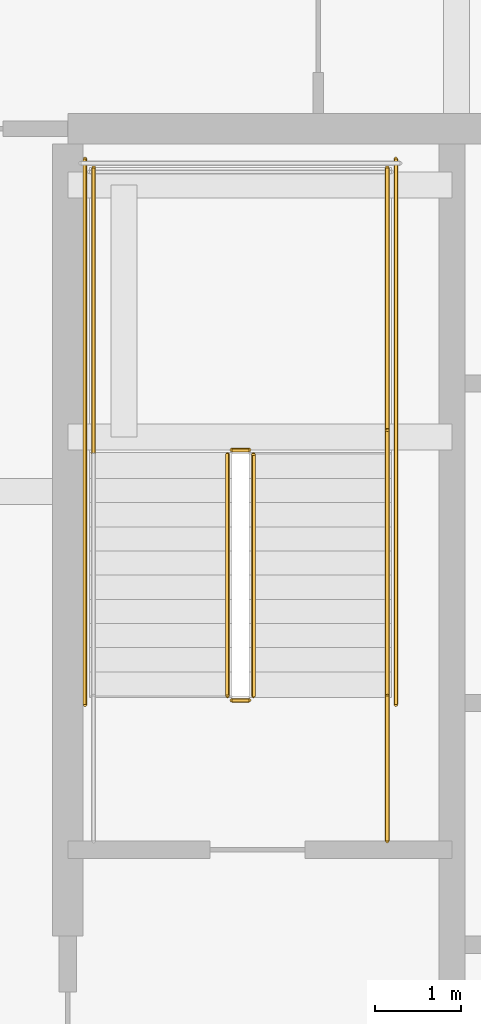
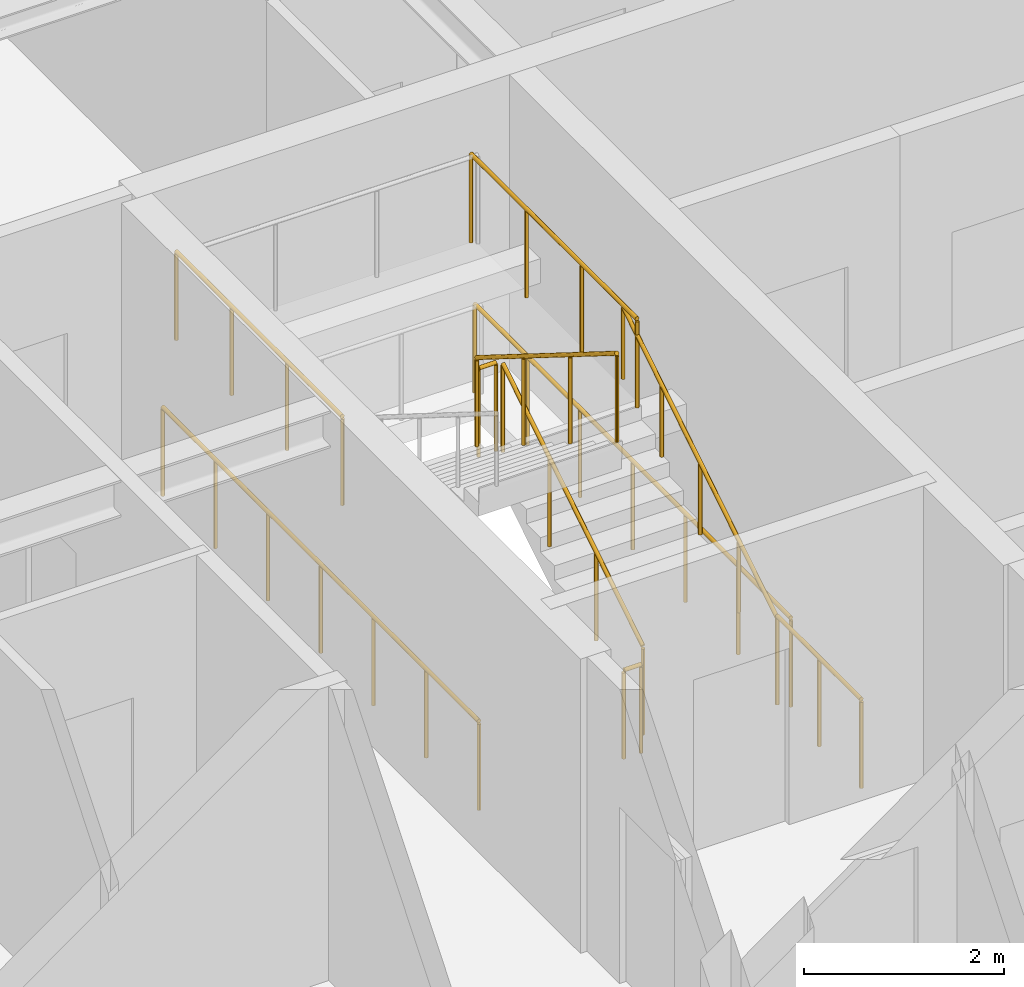
# One storey, part 35 of 38: 10 railings.
"""IFC4 building model written with IfcOpenShell, lengths in metres."""

from ifc_helpers import new_model, si_unit, direction, frame, origin, origin_2d, place, context, subcontext, project, spatial, circle, extrude, material, type_object, element, save


model = new_model("IFC4")

# Units and contexts
model_context = context("Model", 3, precision=1e-05, world=origin(), true_north=direction((0.0, 1.0)))
body_context = subcontext(model_context, "Body", "Model", "MODEL_VIEW")
ifc_project = project(units=[si_unit("LENGTHUNIT", "METRE"), si_unit("AREAUNIT", "SQUARE_METRE"), si_unit("VOLUMEUNIT", "CUBIC_METRE"), si_unit("PLANEANGLEUNIT", "RADIAN"), si_unit("MASSUNIT", "GRAM", prefix="KILO")], contexts=[model_context])

# Site, building, storey
site_placement = place(None, origin())
site = spatial("IfcSite", under=ifc_project, at=site_placement, CompositionType="ELEMENT")
building_placement = place(site_placement, origin())
building = spatial("IfcBuilding", under=site, at=building_placement, Name="Serunith Strait Residences", CompositionType="ELEMENT")
storey_placement = place(building_placement, frame((0.0, 0.0, 264.35009765625)))
storey = spatial("IfcBuildingStorey", under=building, at=storey_placement, Name="L66", CompositionType="ELEMENT", Elevation=264.35009765625)

# Railings
ifc_material = material(Name="Brushed stainless steel 316L", Category="steel")
railing_type_1 = type_object("IfcRailingType", Name="RLG-STAIR-GUARD", PredefinedType="BALUSTRADE", material=ifc_material)
railing_1_placement = place(storey_placement, frame((25.550048828125, 27.030029296875, 0.1748046875)))
element("IfcRailing", 1, at=railing_1_placement, inside=storey, type_object=railing_type_1, Name="L66 ST-1 stair guard 1", PredefinedType="BALUSTRADE", context=body_context, shape_type="SweptSolid", body=[
    extrude(circle(Radius=0.02392578125, at=origin_2d()), frame((0.0, 0.001708984375, 1.0771484375), z_axis=(0.0, 0.848002457836, 0.529992293815), x_axis=(-1.0, 0.0, 0.0)), (0.0, 0.0, 1.0), 3.2978515625),
    extrude(circle(Radius=0.02099609375, at=origin_2d()), origin(), (0.0, 0.0, 1.0), 1.050048828125),
    extrude(circle(Radius=0.02099609375, at=origin_2d()), frame((0.0, 0.933349609375, 0.583251953125)), (0.0, 0.0, 1.0), 1.050048828125),
    extrude(circle(Radius=0.02099609375, at=origin_2d()), frame((0.0, 1.86669921875, 1.166748046875)), (0.0, 0.0, 1.0), 1.050048828125),
    extrude(circle(Radius=0.02099609375, at=origin_2d()), frame((0.0, 2.800048828125, 1.75)), (0.0, 0.0, 1.0), 1.050048828125),
])
railing_2_placement = place(storey_placement, frame((25.5, 29.8798828125, 1.9248046875)))
element("IfcRailing", 2, at=railing_2_placement, inside=storey, type_object=railing_type_1, Name="L66 ST-1 stair guard 2", PredefinedType="BALUSTRADE", context=body_context, shape_type="SweptSolid", body=[
    extrude(circle(Radius=0.02392578125, at=origin_2d()), frame((-0.001953125, 0.0, 1.076171875), z_axis=(-1.0, 0.0, 0.0), x_axis=(0.0, -1.0, 0.0)), (0.0, 0.0, 1.0), 0.196044921875),
    extrude(circle(Radius=0.02099609375, at=origin_2d()), origin(), (0.0, 0.0, 1.0), 1.050048828125),
    extrude(circle(Radius=0.02099609375, at=origin_2d()), frame((-0.199951171875, 0.0, 0.0)), (0.0, 0.0, 1.0), 1.050048828125),
])
for number, where, name in (
    (3, (27.10009765625, 29.830078125, 1.9248046875), "L66 ST-1 stair guard 3"),
    (4, (23.699951171875, 29.830078125, 1.9248046875), "L66 ST-1 stair guard 4"),
):
    element("IfcRailing", number, at=place(storey_placement, frame(where)), inside=storey, type_object=railing_type_1, Name=name, PredefinedType="BALUSTRADE", context=body_context, shape_type="SweptSolid", body=[
        extrude(circle(Radius=0.02392578125, at=origin_2d()), frame((0.0, 0.001953125, 1.076171875), z_axis=(0.0, 1.0, 0.0), x_axis=(-1.0, 0.0, 0.0)), (0.0, 0.0, 1.0), 3.31591796875),
        extrude(circle(Radius=0.02099609375, at=origin_2d()), origin(), (0.0, 0.0, 1.0), 1.050048828125),
        extrude(circle(Radius=0.02099609375, at=origin_2d()), frame((0.0, 1.106689453125, 0.0)), (0.0, 0.0, 1.0), 1.050048828125),
        extrude(circle(Radius=0.02099609375, at=origin_2d()), frame((0.0, 2.213134765625, 0.0)), (0.0, 0.0, 1.0), 1.050048828125),
        extrude(circle(Radius=0.02099609375, at=origin_2d()), frame((0.0, 3.31982421875, 0.0)), (0.0, 0.0, 1.0), 1.050048828125),
    ])
railing_3_placement = place(storey_placement, frame((25.25, 29.830078125, 2.099853515625)))
element("IfcRailing", 5, at=railing_3_placement, inside=storey, type_object=railing_type_1, Name="L66 ST-1 stair guard 6", PredefinedType="BALUSTRADE", context=body_context, shape_type="SweptSolid", body=[
    extrude(circle(Radius=0.02392578125, at=origin_2d()), frame((0.0, -0.001708984375, 1.0771484375), z_axis=(0.0, -0.848002457836, 0.529992293815), x_axis=(1.0, 0.0, 0.0)), (0.0, 0.0, 1.0), 3.2978515625),
    extrude(circle(Radius=0.02099609375, at=origin_2d()), origin(), (0.0, 0.0, 1.0), 1.050048828125),
    extrude(circle(Radius=0.02099609375, at=origin_2d()), frame((0.0, -0.933349609375, 0.583251953125)), (0.0, 0.0, 1.0), 1.050048828125),
    extrude(circle(Radius=0.02099609375, at=origin_2d()), frame((0.0, -1.86669921875, 1.166748046875)), (0.0, 0.0, 1.0), 1.050048828125),
    extrude(circle(Radius=0.02099609375, at=origin_2d()), frame((0.0, -2.800048828125, 1.75)), (0.0, 0.0, 1.0), 1.050048828125),
])
railing_4_placement = place(storey_placement, frame((25.5, 26.97998046875, 0.0)))
element("IfcRailing", 6, at=railing_4_placement, inside=storey, type_object=railing_type_1, Name="L66 ST-1 stair guard 7", PredefinedType="BALUSTRADE", context=body_context, shape_type="SweptSolid", body=[
    extrude(circle(Radius=0.02392578125, at=origin_2d()), frame((-0.001953125, 0.0, 1.076171875), z_axis=(-1.0, 0.0, 0.0), x_axis=(0.0, -1.0, 0.0)), (0.0, 0.0, 1.0), 0.196044921875),
    extrude(circle(Radius=0.02099609375, at=origin_2d()), origin(), (0.0, 0.0, 1.0), 1.050048828125),
    extrude(circle(Radius=0.02099609375, at=origin_2d()), frame((-0.199951171875, 0.0, 0.0)), (0.0, 0.0, 1.0), 1.050048828125),
])
railing_5_placement = place(storey_placement, frame((27.10009765625, 25.35009765625, 0.0)))
element("IfcRailing", 7, at=railing_5_placement, inside=storey, type_object=railing_type_1, Name="L66 ST-1 stair guard 8", PredefinedType="BALUSTRADE", context=body_context, shape_type="SweptSolid", body=[
    extrude(circle(Radius=0.02392578125, at=origin_2d()), frame((0.0, 0.001953125, 1.076171875), z_axis=(0.0, 1.0, 0.0), x_axis=(-1.0, 0.0, 0.0)), (0.0, 0.0, 1.0), 1.676025390625),
    extrude(circle(Radius=0.02099609375, at=origin_2d()), origin(), (0.0, 0.0, 1.0), 1.050048828125),
    extrude(circle(Radius=0.02099609375, at=origin_2d()), frame((0.0, 0.83984375, 0.0)), (0.0, 0.0, 1.0), 1.050048828125),
    extrude(circle(Radius=0.02099609375, at=origin_2d()), frame((0.0, 1.679931640625, 0.0)), (0.0, 0.0, 1.0), 1.050048828125),
])
for number, where, name in (
    (8, (27.199951171875, 26.929931640625, 0.0), "L66 ST-1 stair guard 10"),
    (9, (23.60009765625, 26.929931640625, 0.0), "L66 ST-1 stair guard 11"),
):
    element("IfcRailing", number, at=place(storey_placement, frame(where)), inside=storey, type_object=railing_type_1, Name=name, PredefinedType="BALUSTRADE", context=body_context, shape_type="SweptSolid", body=[
        extrude(circle(Radius=0.02392578125, at=origin_2d()), frame((0.0, 0.001953125, 1.076171875), z_axis=(0.0, 1.0, 0.0), x_axis=(-1.0, 0.0, 0.0)), (0.0, 0.0, 1.0), 6.316162109375),
        extrude(circle(Radius=0.02099609375, at=origin_2d()), origin(), (0.0, 0.0, 1.0), 1.050048828125),
        extrude(circle(Radius=0.02099609375, at=origin_2d()), frame((0.0, 1.05322265625, 0.0)), (0.0, 0.0, 1.0), 1.050048828125),
        extrude(circle(Radius=0.02099609375, at=origin_2d()), frame((0.0, 2.106689453125, 0.0)), (0.0, 0.0, 1.0), 1.050048828125),
        extrude(circle(Radius=0.02099609375, at=origin_2d()), frame((0.0, 3.16015625, 0.0)), (0.0, 0.0, 1.0), 1.050048828125),
        extrude(circle(Radius=0.02099609375, at=origin_2d()), frame((0.0, 4.21337890625, 0.0)), (0.0, 0.0, 1.0), 1.050048828125),
        extrude(circle(Radius=0.02099609375, at=origin_2d()), frame((0.0, 5.2666015625, 0.0)), (0.0, 0.0, 1.0), 1.050048828125),
        extrude(circle(Radius=0.02099609375, at=origin_2d()), frame((0.0, 6.320068359375, 0.0)), (0.0, 0.0, 1.0), 1.050048828125),
    ])
railing_type_2 = type_object("IfcRailingType", Name="RLG-STAIR-HR", PredefinedType="HANDRAIL", material=ifc_material)
railing_6_placement = place(storey_placement, frame((27.10009765625, 27.030029296875, 0.1748046875)))
element("IfcRailing", 10, at=railing_6_placement, inside=storey, type_object=railing_type_2, Name="L66 ST-1 stair handrail 1", PredefinedType="HANDRAIL", context=body_context, shape_type="SweptSolid", body=[
    extrude(circle(Radius=0.02392578125, at=origin_2d()), frame((0.0, 0.001708984375, 0.876953125), z_axis=(0.0, 0.847363772988, 0.531012839984), x_axis=(-1.0, 0.0, 0.0)), (0.0, 0.0, 1.0), 3.630859375),
    extrude(circle(Radius=0.02099609375, at=origin_2d()), origin(), (0.0, 0.0, 1.0), 0.849853515625),
    extrude(circle(Radius=0.02099609375, at=origin_2d()), frame((0.0, 0.77001953125, 0.482421875)), (0.0, 0.0, 1.0), 0.849853515625),
    extrude(circle(Radius=0.02099609375, at=origin_2d()), frame((0.0, 1.5400390625, 0.965087890625)), (0.0, 0.0, 1.0), 0.849853515625),
    extrude(circle(Radius=0.02099609375, at=origin_2d()), frame((0.0, 2.31005859375, 1.44775390625)), (0.0, 0.0, 1.0), 0.849853515625),
    extrude(circle(Radius=0.02099609375, at=origin_2d()), frame((0.0, 3.080078125, 1.93017578125)), (0.0, 0.0, 1.0), 0.849853515625),
])

save(model, "model.ifc")
